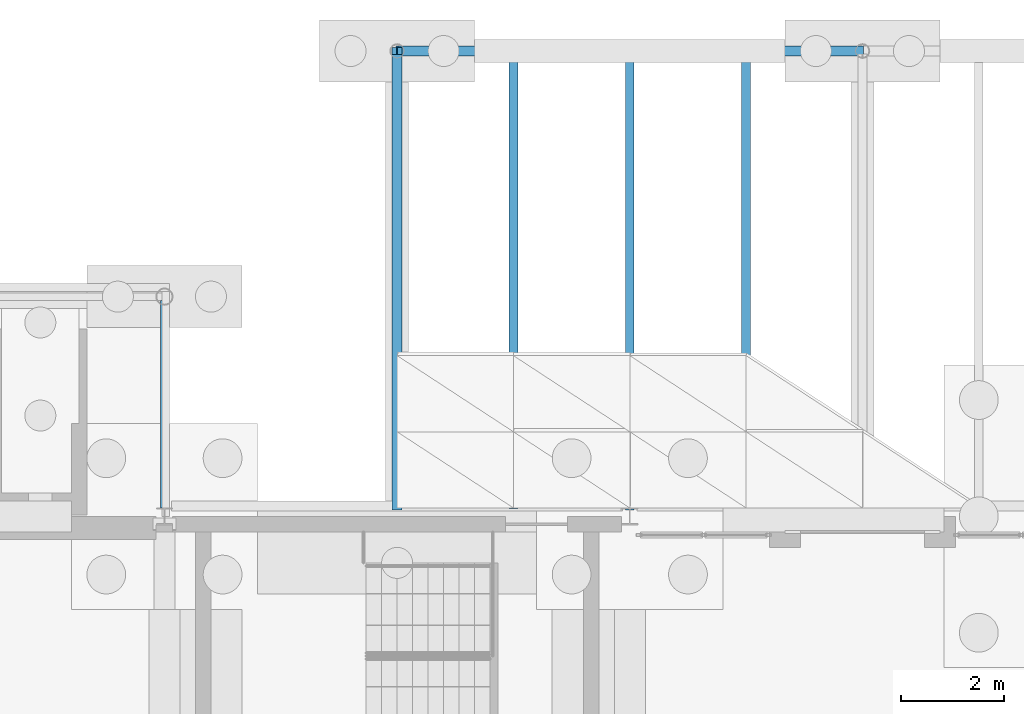
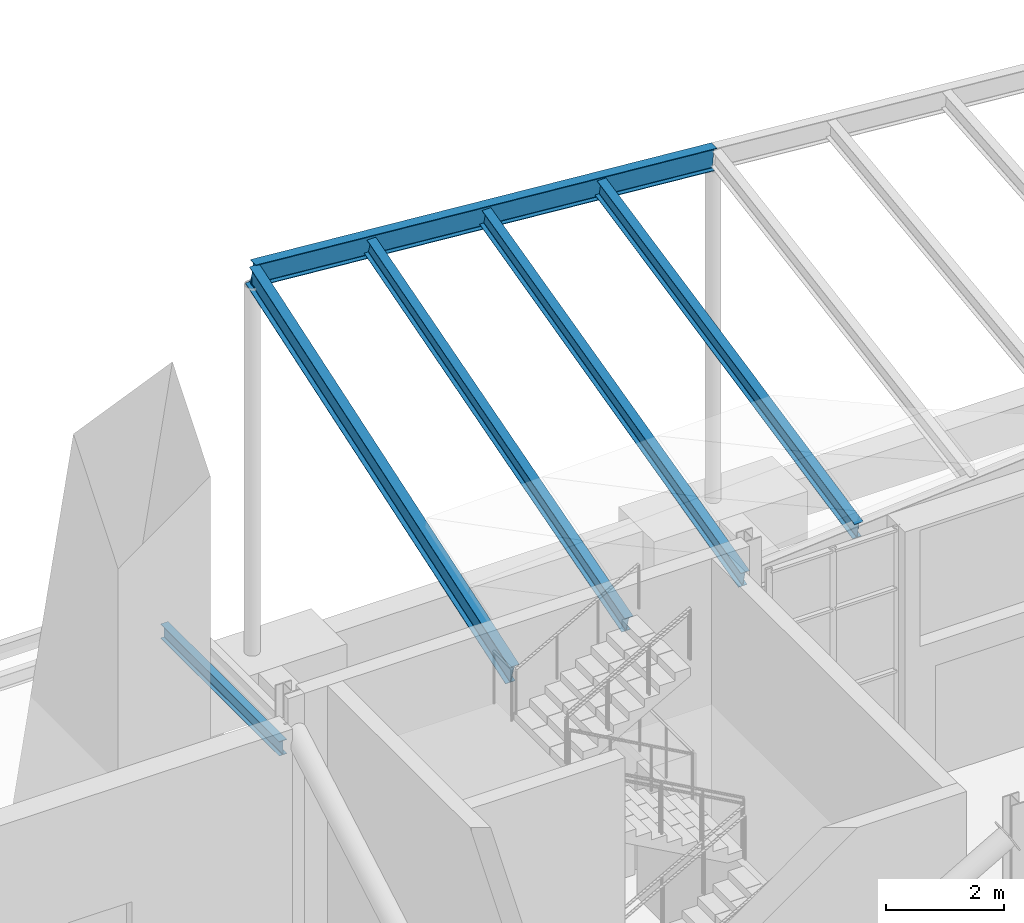
# One storey, part 72 of 139: 6 beams.
"""IFC4 building model written with IfcOpenShell, lengths in metres."""

from ifc_helpers import new_model, si_unit, direction, frame, origin, origin_2d, place, context, subcontext, project, spatial, i_section, extrude, material, material_profile, profile_set, type_object, element, save


model = new_model("IFC4")

# Units and contexts
model_context = context("Model", 3, precision=1e-05, world=origin(), true_north=direction((0.0, 1.0)))
body_context = subcontext(model_context, "Body", "Model", "MODEL_VIEW")
ifc_project = project(units=[si_unit("LENGTHUNIT", "METRE"), si_unit("AREAUNIT", "SQUARE_METRE"), si_unit("VOLUMEUNIT", "CUBIC_METRE"), si_unit("PLANEANGLEUNIT", "RADIAN"), si_unit("MASSUNIT", "GRAM", prefix="KILO")], contexts=[model_context])

# Site, building, storey
site_placement = place(None, origin())
site = spatial("IfcSite", under=ifc_project, at=site_placement, CompositionType="ELEMENT")
building_placement = place(site_placement, origin())
building = spatial("IfcBuilding", under=site, at=building_placement, Name="Shorebreak Coast Museum", CompositionType="ELEMENT")
storey_placement = place(building_placement, origin())
storey = spatial("IfcBuildingStorey", under=building, at=storey_placement, Name="L00", CompositionType="ELEMENT", Elevation=0.0)

# Beams
ifc_material_1 = material(Name="Steel Grade 300", Category="steel")
ifc_material_profile_1 = material_profile(ifc_material_1, i_section(OverallWidth=0.14892578125, OverallDepth=0.298095703125, WebThickness=0.005615234375, FlangeThickness=0.008056640625, FilletRadius=0.012939453125, at=origin_2d()), Name="310UB32.0")
ifc_profile_set_1 = profile_set([ifc_material_profile_1], Name="Steel Grade 300")
beam_type_1 = type_object("IfcBeamType", Name="Arcade primary beam 310UB32.0", PredefinedType="BEAM", material=ifc_profile_set_1)
beam_1_placement = place(storey_placement, frame((63.0, 117.16357421875, 4.65087890625), z_axis=(0.0, 1.0, 0.0), x_axis=(-1.0, 0.0, 0.0)))
element("IfcBeam", 1, at=beam_1_placement, inside=storey, type_object=beam_type_1, Name="Arcade primary beam north 2", PredefinedType="BEAM", context=body_context, shape_type="SweptSolid", body=[
    extrude(i_section(OverallWidth=0.14892578125, OverallDepth=0.298095703125, WebThickness=0.005615234375, FlangeThickness=0.008056640625, FilletRadius=0.012939453125, at=origin_2d()), origin(), (0.0, 0.0, 1.0), 4.011962890625),
])
ifc_material_2 = material(Name="Steel Grade 300", Category="steel")
ifc_material_profile_2 = material_profile(ifc_material_2, i_section(OverallWidth=0.18994140625, OverallDepth=0.453857421875, WebThickness=0.008544921875, FlangeThickness=0.0126953125, FilletRadius=0.011474609375, at=origin_2d()), Name="460UB67.1")
ifc_profile_set_2 = profile_set([ifc_material_profile_2], Name="Steel Grade 300")
beam_type_2 = type_object("IfcBeamType", Name="Canopy edge beam 460UB67.1", PredefinedType="BEAM", material=ifc_profile_set_2)
beam_2_placement = place(storey_placement, frame((67.5, 126.0, 7.50390625), z_axis=(0.99663688452, 0.0, -0.081944617974), x_axis=(0.0, 1.0, 0.0)))
element("IfcBeam", 2, at=beam_2_placement, inside=storey, type_object=beam_type_2, Name="Canopy edge beam ENT-N span 1", PredefinedType="BEAM", context=body_context, shape_type="SweptSolid", body=[
    extrude(i_section(OverallWidth=0.18994140625, OverallDepth=0.453857421875, WebThickness=0.008544921875, FlangeThickness=0.0126953125, FilletRadius=0.011474609375, at=origin_2d()), origin(), (0.0, 0.0, 1.0), 9.0302734375),
])
ifc_material_3 = material(Name="Steel Grade 300", Category="steel")
ifc_material_profile_3 = material_profile(ifc_material_3, i_section(OverallWidth=0.1708984375, OverallDepth=0.35205078125, WebThickness=0.0068359375, FlangeThickness=0.009765625, FilletRadius=0.011474609375, at=origin_2d()), Name="360UB44.7")
ifc_profile_set_3 = profile_set([ifc_material_profile_3], Name="Steel Grade 300")
beam_type_3 = type_object("IfcBeamType", Name="Canopy rib 360UB44.7", PredefinedType="BEAM", material=ifc_profile_set_3)
beam_3_placement = place(storey_placement, frame((69.75, 117.20556640625, 4.811279296875), z_axis=(0.0, 0.960002411273, 0.279991732644), x_axis=(-1.0, 0.0, 0.0)))
element("IfcBeam", 3, at=beam_3_placement, inside=storey, type_object=beam_type_3, Name="Canopy rib ENT-N 01", PredefinedType="BEAM", context=body_context, shape_type="SweptSolid", body=[
    extrude(i_section(OverallWidth=0.1708984375, OverallDepth=0.35205078125, WebThickness=0.0068359375, FlangeThickness=0.009765625, FilletRadius=0.011474609375, at=origin_2d()), origin(), (0.0, 0.0, 1.0), 9.07177734375),
])
beam_4_placement = place(storey_placement, frame((72.0, 117.16357421875, 4.98291015625), z_axis=(0.0, 0.970231600331, 0.242178945658), x_axis=(-1.0, 0.0, 0.0)))
element("IfcBeam", 4, at=beam_4_placement, inside=storey, type_object=beam_type_3, Name="Canopy rib ENT-N 02", PredefinedType="BEAM", context=body_context, shape_type="SweptSolid", body=[
    extrude(i_section(OverallWidth=0.1708984375, OverallDepth=0.35205078125, WebThickness=0.0068359375, FlangeThickness=0.009765625, FilletRadius=0.011474609375, at=origin_2d()), origin(), (0.0, 0.0, 1.0), 9.01953125),
])
beam_5_placement = place(storey_placement, frame((74.25, 117.20556640625, 5.17236328125), z_axis=(0.0, 0.97897859315, 0.203963021538), x_axis=(-1.0, 0.0, 0.0)))
element("IfcBeam", 5, at=beam_5_placement, inside=storey, type_object=beam_type_3, Name="Canopy rib ENT-N 03", PredefinedType="BEAM", context=body_context, shape_type="SweptSolid", body=[
    extrude(i_section(OverallWidth=0.1708984375, OverallDepth=0.35205078125, WebThickness=0.0068359375, FlangeThickness=0.009765625, FilletRadius=0.011474609375, at=origin_2d()), origin(), (0.0, 0.0, 1.0), 8.89599609375),
])
ifc_material_4 = material(Name="Steel Grade 300", Category="steel")
ifc_material_profile_4 = material_profile(ifc_material_4, i_section(OverallWidth=0.18994140625, OverallDepth=0.453857421875, WebThickness=0.008544921875, FlangeThickness=0.0126953125, FilletRadius=0.011474609375, at=origin_2d()), Name="460UB67.1")
ifc_profile_set_4 = profile_set([ifc_material_profile_4], Name="Steel Grade 300")
beam_type_4 = type_object("IfcBeamType", Name="Canopy ring beam 460UB67.1", PredefinedType="BEAM", material=ifc_profile_set_4)
beam_6_placement = place(storey_placement, frame((67.5, 126.0, 7.50390625), z_axis=(0.0, -0.948683298051, -0.316227766017), x_axis=(1.0, 0.0, 0.0)))
element("IfcBeam", 6, at=beam_6_placement, inside=storey, type_object=beam_type_4, Name="Canopy ring beam ENT-N side 1", PredefinedType="BEAM", context=body_context, shape_type="SweptSolid", body=[
    extrude(i_section(OverallWidth=0.18994140625, OverallDepth=0.453857421875, WebThickness=0.008544921875, FlangeThickness=0.0126953125, FilletRadius=0.011474609375, at=origin_2d()), origin(), (0.0, 0.0, 1.0), 9.276123046875),
])

save(model, "model.ifc")
